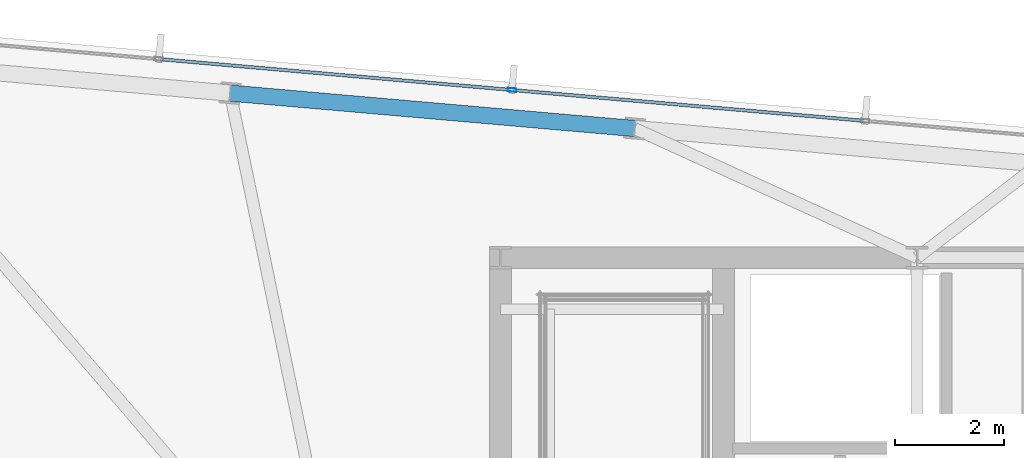
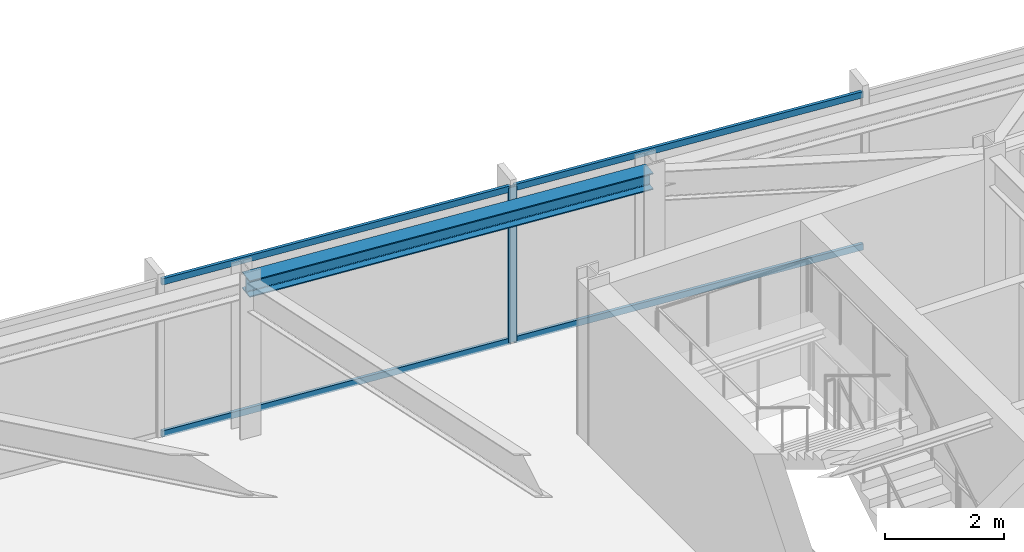
# One storey, part 24 of 32: 5 members, 1 beam, 1 element without a shape of its own.
"""IFC4 building model written with IfcOpenShell, lengths in metres."""

from ifc_helpers import new_model, si_unit, direction, frame, origin, origin_2d, place, context, subcontext, project, spatial, hollow_rectangle, i_section, extrude, material, material_profile, profile_set, type_object, element, aggregate, save


model = new_model("IFC4")

# Units and contexts
model_context = context("Model", 3, precision=1e-05, world=origin(), true_north=direction((0.0, 1.0)))
body_context = subcontext(model_context, "Body", "Model", "MODEL_VIEW")
ifc_project = project(units=[si_unit("LENGTHUNIT", "METRE"), si_unit("AREAUNIT", "SQUARE_METRE"), si_unit("VOLUMEUNIT", "CUBIC_METRE"), si_unit("PLANEANGLEUNIT", "RADIAN"), si_unit("MASSUNIT", "GRAM", prefix="KILO")], contexts=[model_context])

# Site, building, storey
site_placement = place(None, origin())
site = spatial("IfcSite", under=ifc_project, at=site_placement, CompositionType="ELEMENT")
building_placement = place(site_placement, origin())
building = spatial("IfcBuilding", under=site, at=building_placement, Name="Yelkora Congress Tower", CompositionType="ELEMENT")
storey_placement = place(building_placement, frame((0.0, 0.0, 265.89990234375)))
storey = spatial("IfcBuildingStorey", under=building, at=storey_placement, Name="L74", CompositionType="ELEMENT", Elevation=265.89990234375)

# Beam
ifc_material_1 = material(Name="Steel S355J2", Category="steel")
ifc_material_profile_1 = material_profile(ifc_material_1, i_section(OverallWidth=0.300048828125, OverallDepth=0.340087890625, WebThickness=0.011962890625, FlangeThickness=0.021484375, FilletRadius=0.027099609375, at=origin_2d()), Name="HEB 340")
ifc_profile_set_1 = profile_set([ifc_material_profile_1], Name="Steel S355J2")
beam_type = type_object("IfcBeamType", Name="BM-SPAN-HEB340", PredefinedType="SPANDREL", material=ifc_profile_set_1)
beam_placement = place(storey_placement, frame((25.513916015625, 48.57958984375, 3.010009765625), z_axis=(-0.996196266663, 0.087137812034, 0.0), x_axis=(-0.087137812034, -0.996196266663, 0.0)))
element("IfcBeam", 1, at=beam_placement, inside=storey, type_object=beam_type, Name="L74 Perimeter Beam 11", PredefinedType="SPANDREL", context=body_context, shape_type="SweptSolid", body=[
    extrude(i_section(OverallWidth=0.300048828125, OverallDepth=0.340087890625, WebThickness=0.011962890625, FlangeThickness=0.021484375, FilletRadius=0.027099609375, at=origin_2d()), origin(), (0.0, 0.0, 1.0), 7.483642578125),
])

# Curtain wall, members
ifc_material_2 = material(Name="Anodised aluminium and insulated glass", Category="aluminium")
curtain_wall_type = type_object("IfcCurtainWallType", Name="CW-SYS-B5", PredefinedType="NOTDEFINED", material=ifc_material_2)
curtain_wall_placement = place(storey_placement, origin())
curtain_wall = element("IfcCurtainWall", 2, at=curtain_wall_placement, inside=storey, type_object=curtain_wall_type, Name="L74 Unitised Curtain Wall 10", PredefinedType="NOTDEFINED")
ifc_material_3 = material(Name="Anodised aluminium 6063-T6", Category="aluminium")
ifc_material_profile_2 = material_profile(ifc_material_3, hollow_rectangle(XDim=0.06494140625, YDim=0.159912109375, WallThickness=0.00390625, at=origin_2d()), Name="ALU 65x160x4")
ifc_profile_set_2 = profile_set([ifc_material_profile_2], Name="Anodised aluminium 6063-T6")
member_type_1 = type_object("IfcMemberType", Name="MEM-ML-B5", PredefinedType="MULLION", material=ifc_profile_set_2)
member_1_placement = place(storey_placement, frame((23.253173828125, 49.289306640625, 0.0), z_axis=(0.0, 0.0, 1.0), x_axis=(0.087156639893, 0.996194619601, 0.0)))
member_1 = element("IfcMember", 3, at=member_1_placement, type_object=member_type_1, Name="CW-B5 mullion 3", PredefinedType="MULLION", context=body_context, shape_type="SweptSolid", body=[
    extrude(hollow_rectangle(XDim=0.06494140625, YDim=0.159912109375, WallThickness=0.00390625, at=origin_2d()), origin(), (0.0, 0.0, 1.0), 3.18017578125),
])
ifc_material_profile_3 = material_profile(ifc_material_3, hollow_rectangle(XDim=0.06005859375, YDim=0.1298828125, WallThickness=0.00390625, at=origin_2d()), Name="ALU 60x130x4")
ifc_profile_set_3 = profile_set([ifc_material_profile_3], Name="Anodised aluminium 6063-T6")
member_type_2 = type_object("IfcMemberType", Name="MEM-TR-B5", PredefinedType="USERDEFINED", material=ifc_profile_set_3)
member_2_placement = place(storey_placement, frame((16.779052734375, 49.855712890625, 0.030029296875), z_axis=(0.996195971174, -0.087141190126, 0.0), x_axis=(0.087141190126, 0.996195971174, 0.0)))
member_2 = element("IfcMember", 4, at=member_2_placement, type_object=member_type_2, Name="CW-B5 transom 2.1", ObjectType="TRANSOM", PredefinedType="USERDEFINED", context=body_context, shape_type="SweptSolid", body=[
    extrude(hollow_rectangle(XDim=0.06005859375, YDim=0.1298828125, WallThickness=0.00390625, at=origin_2d()), origin(), (0.0, 0.0, 1.0), 6.46630859375),
])
member_3_placement = place(storey_placement, frame((16.779052734375, 49.855712890625, 3.150146484375), z_axis=(0.996195971174, -0.087141190126, 0.0), x_axis=(0.087141190126, 0.996195971174, 0.0)))
member_3 = element("IfcMember", 5, at=member_3_placement, type_object=member_type_2, Name="CW-B5 transom 2.2", ObjectType="TRANSOM", PredefinedType="USERDEFINED", context=body_context, shape_type="SweptSolid", body=[
    extrude(hollow_rectangle(XDim=0.06005859375, YDim=0.1298828125, WallThickness=0.00390625, at=origin_2d()), origin(), (0.0, 0.0, 1.0), 6.46630859375),
])
member_4_placement = place(storey_placement, frame((23.285400390625, 49.286376953125, 0.030029296875), z_axis=(0.996196257862, -0.087137912649, 0.0), x_axis=(0.087137912649, 0.996196257862, 0.0)))
member_4 = element("IfcMember", 6, at=member_4_placement, type_object=member_type_2, Name="CW-B5 transom 3.1", ObjectType="TRANSOM", PredefinedType="USERDEFINED", context=body_context, shape_type="SweptSolid", body=[
    extrude(hollow_rectangle(XDim=0.06005859375, YDim=0.1298828125, WallThickness=0.00390625, at=origin_2d()), origin(), (0.0, 0.0, 1.0), 6.466552734375),
])
member_5_placement = place(storey_placement, frame((23.285400390625, 49.286376953125, 3.150146484375), z_axis=(0.996196257862, -0.087137912649, 0.0), x_axis=(0.087137912649, 0.996196257862, 0.0)))
member_5 = element("IfcMember", 7, at=member_5_placement, type_object=member_type_2, Name="CW-B5 transom 3.2", ObjectType="TRANSOM", PredefinedType="USERDEFINED", context=body_context, shape_type="SweptSolid", body=[
    extrude(hollow_rectangle(XDim=0.06005859375, YDim=0.1298828125, WallThickness=0.00390625, at=origin_2d()), origin(), (0.0, 0.0, 1.0), 6.466552734375),
])
aggregate(curtain_wall, [member_1, member_2, member_3, member_4, member_5])

save(model, "model.ifc")
